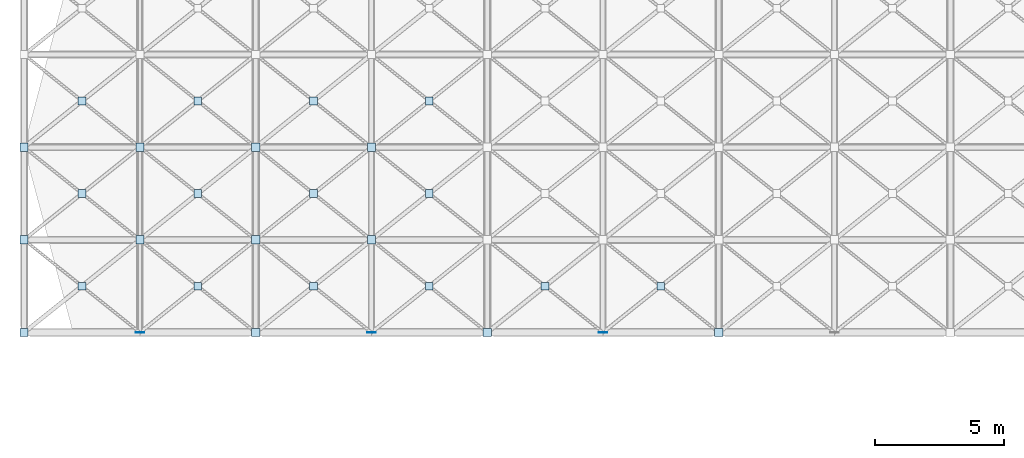
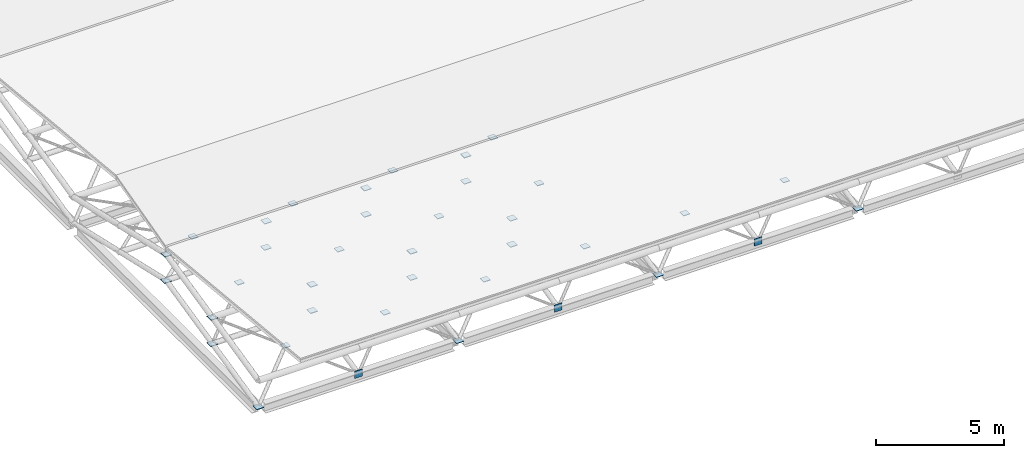
# One storey, part 73 of 110: 37 plates.
"""IFC4 building model written with IfcOpenShell, lengths in metres."""

from ifc_helpers import new_model, si_unit, direction, frame, origin, origin_2d, place, context, subcontext, project, spatial, rectangle, extrude, material, layer, layer_set, type_object, element, save


model = new_model("IFC4")

# Units and contexts
model_context = context("Model", 3, precision=1e-05, world=origin(), true_north=direction((0.0, 1.0)))
body_context = subcontext(model_context, "Body", "Model", "MODEL_VIEW")
ifc_project = project(units=[si_unit("LENGTHUNIT", "METRE"), si_unit("AREAUNIT", "SQUARE_METRE"), si_unit("VOLUMEUNIT", "CUBIC_METRE"), si_unit("PLANEANGLEUNIT", "RADIAN"), si_unit("MASSUNIT", "GRAM", prefix="KILO")], contexts=[model_context])

# Site, building, storey
site_placement = place(None, origin())
site = spatial("IfcSite", under=ifc_project, at=site_placement, CompositionType="ELEMENT")
building_placement = place(site_placement, origin())
building = spatial("IfcBuilding", under=site, at=building_placement, Name="Tamarisk Ironworks Central Station", CompositionType="ELEMENT")
storey_placement = place(building_placement, frame((0.0, 0.0, 17.39990234375)))
storey = spatial("IfcBuildingStorey", under=building, at=storey_placement, Name="L03", CompositionType="ELEMENT", Elevation=17.39990234375)

# Plates
ifc_material_1 = material(Name="Painted structural steel S355J2", Category="steel")
ifc_layer_1 = layer(ifc_material_1, 0.01611328125)
ifc_layer_set_1 = layer_set([ifc_layer_1], Name="Painted structural steel S355J2")
plate_type_1 = type_object("IfcPlateType", Name="PL-EC16", PredefinedType="SHEET", material=ifc_layer_set_1)
for number, where, z_axis, x_axis, name in (
    (1, (4.5, 21.60009765625, -1.89013671875), (0.0, 0.0, 1.0), (1.0, 0.0, 0.0), "Hollow section welded end-cap plate 28"),
    (2, (13.5, 21.60009765625, -1.89013671875), (0.0, 0.0, 1.0), (1.0, 0.0, 0.0), "Hollow section welded end-cap plate 29"),
    (3, (22.5, 21.60009765625, -1.89013671875), (0.0, 0.0, 1.0), (1.0, 0.0, 0.0), "Hollow section welded end-cap plate 30"),
):
    element("IfcPlate", number, at=place(storey_placement, frame(where, z_axis=z_axis, x_axis=x_axis)), inside=storey, type_object=plate_type_1, Name=name, PredefinedType="SHEET", context=body_context, shape_type="SweptSolid", body=[
        extrude(rectangle(XDim=0.340087890625, YDim=0.02392578125, at=origin_2d()), origin(), (0.0, 0.0, 1.0), 0.340087890625),
    ])
ifc_material_2 = material(Name="Structural steel S355J2H", Category="steel")
ifc_layer_2 = layer(ifc_material_2, 0.02587890625)
ifc_layer_set_2 = layer_set([ifc_layer_2], Name="Structural steel S355J2H")
plate_type_2 = type_object("IfcPlateType", Name="PL-ND26", PredefinedType="SHEET", material=ifc_layer_set_2)
plate_1_placement = place(storey_placement, frame((2.25, 23.39990234375, -0.6953125), z_axis=(0.0, 0.0, 1.0), x_axis=(1.0, 0.0, 0.0)))
element("IfcPlate", 4, at=plate_1_placement, inside=storey, type_object=plate_type_2, Name="Space-frame X-brace crossing gusset plate 0001", PredefinedType="SHEET", context=body_context, shape_type="SweptSolid", body=[
    extrude(rectangle(XDim=0.300048828125, YDim=0.300048828125, at=origin_2d()), origin(), (0.0, 0.0, 1.0), 0.02587890625),
])
for number, where, z_axis, x_axis, name in (
    (5, (0.0, 21.60009765625, -1.73291015625), (0.0, 0.0, 1.0), (1.0, 0.0, 0.0), "Space-frame collector node plate 0002"),
    (6, (0.0, 25.199951171875, 0.342041015625), (0.0, 0.0, 1.0), (1.0, 0.0, 0.0), "Space-frame collector node plate 0003"),
    (7, (4.5, 25.199951171875, 0.342041015625), (0.0, 0.0, 1.0), (1.0, 0.0, 0.0), "Space-frame collector node plate 0004"),
):
    element("IfcPlate", number, at=place(storey_placement, frame(where, z_axis=z_axis, x_axis=x_axis)), inside=storey, type_object=plate_type_2, Name=name, PredefinedType="SHEET", context=body_context, shape_type="SweptSolid", body=[
        extrude(rectangle(XDim=0.320068359375, YDim=0.320068359375, at=origin_2d()), origin(), (0.0, 0.0, 1.0), 0.02587890625),
    ])
plate_2_placement = place(storey_placement, frame((2.25, 27.0, 0.129638671875), z_axis=(0.0, 0.0, 1.0), x_axis=(1.0, 0.0, 0.0)))
element("IfcPlate", 8, at=plate_2_placement, inside=storey, type_object=plate_type_2, Name="Space-frame X-brace crossing gusset plate 0005", PredefinedType="SHEET", context=body_context, shape_type="SweptSolid", body=[
    extrude(rectangle(XDim=0.300048828125, YDim=0.300048828125, at=origin_2d()), origin(), (0.0, 0.0, 1.0), 0.02587890625),
])
for number, where, z_axis, x_axis, name in (
    (9, (0.0, 25.199951171875, -0.907958984375), (0.0, 0.0, 1.0), (1.0, 0.0, 0.0), "Space-frame collector node plate 0006"),
    (10, (4.5, 25.199951171875, -0.907958984375), (0.0, 0.0, 1.0), (1.0, 0.0, 0.0), "Space-frame collector node plate 0007"),
    (11, (0.0, 28.800048828125, 1.167236328125), (0.0, 0.0, 1.0), (1.0, 0.0, 0.0), "Space-frame collector node plate 0008"),
    (12, (4.5, 28.800048828125, 1.167236328125), (0.0, 0.0, 1.0), (1.0, 0.0, 0.0), "Space-frame collector node plate 0009"),
):
    element("IfcPlate", number, at=place(storey_placement, frame(where, z_axis=z_axis, x_axis=x_axis)), inside=storey, type_object=plate_type_2, Name=name, PredefinedType="SHEET", context=body_context, shape_type="SweptSolid", body=[
        extrude(rectangle(XDim=0.320068359375, YDim=0.320068359375, at=origin_2d()), origin(), (0.0, 0.0, 1.0), 0.02587890625),
    ])
plate_3_placement = place(storey_placement, frame((2.25, 30.60009765625, 0.129638671875), z_axis=(0.0, 0.0, 1.0), x_axis=(1.0, 0.0, 0.0)))
element("IfcPlate", 13, at=plate_3_placement, inside=storey, type_object=plate_type_2, Name="Space-frame X-brace crossing gusset plate 0010", PredefinedType="SHEET", context=body_context, shape_type="SweptSolid", body=[
    extrude(rectangle(XDim=0.300048828125, YDim=0.300048828125, at=origin_2d()), origin(), (0.0, 0.0, 1.0), 0.02587890625),
])
for number, where, z_axis, x_axis, name in (
    (14, (0.0, 28.800048828125, -0.082763671875), (0.0, 0.0, 1.0), (1.0, 0.0, 0.0), "Space-frame collector node plate 0011"),
    (15, (4.5, 28.800048828125, -0.082763671875), (0.0, 0.0, 1.0), (1.0, 0.0, 0.0), "Space-frame collector node plate 0012"),
):
    element("IfcPlate", number, at=place(storey_placement, frame(where, z_axis=z_axis, x_axis=x_axis)), inside=storey, type_object=plate_type_2, Name=name, PredefinedType="SHEET", context=body_context, shape_type="SweptSolid", body=[
        extrude(rectangle(XDim=0.320068359375, YDim=0.320068359375, at=origin_2d()), origin(), (0.0, 0.0, 1.0), 0.02587890625),
    ])
plate_4_placement = place(storey_placement, frame((6.75, 23.39990234375, -0.6953125), z_axis=(0.0, 0.0, 1.0), x_axis=(1.0, 0.0, 0.0)))
element("IfcPlate", 16, at=plate_4_placement, inside=storey, type_object=plate_type_2, Name="Space-frame X-brace crossing gusset plate 0020", PredefinedType="SHEET", context=body_context, shape_type="SweptSolid", body=[
    extrude(rectangle(XDim=0.300048828125, YDim=0.300048828125, at=origin_2d()), origin(), (0.0, 0.0, 1.0), 0.02587890625),
])
for number, where, z_axis, x_axis, name in (
    (17, (9.0, 21.60009765625, -1.73291015625), (0.0, 0.0, 1.0), (1.0, 0.0, 0.0), "Space-frame collector node plate 0021"),
    (18, (9.0, 25.199951171875, 0.342041015625), (0.0, 0.0, 1.0), (1.0, 0.0, 0.0), "Space-frame collector node plate 0022"),
):
    element("IfcPlate", number, at=place(storey_placement, frame(where, z_axis=z_axis, x_axis=x_axis)), inside=storey, type_object=plate_type_2, Name=name, PredefinedType="SHEET", context=body_context, shape_type="SweptSolid", body=[
        extrude(rectangle(XDim=0.320068359375, YDim=0.320068359375, at=origin_2d()), origin(), (0.0, 0.0, 1.0), 0.02587890625),
    ])
plate_5_placement = place(storey_placement, frame((6.75, 27.0, 0.129638671875), z_axis=(0.0, 0.0, 1.0), x_axis=(1.0, 0.0, 0.0)))
element("IfcPlate", 19, at=plate_5_placement, inside=storey, type_object=plate_type_2, Name="Space-frame X-brace crossing gusset plate 0023", PredefinedType="SHEET", context=body_context, shape_type="SweptSolid", body=[
    extrude(rectangle(XDim=0.300048828125, YDim=0.300048828125, at=origin_2d()), origin(), (0.0, 0.0, 1.0), 0.02587890625),
])
for number, where, z_axis, x_axis, name in (
    (20, (9.0, 25.199951171875, -0.907958984375), (0.0, 0.0, 1.0), (1.0, 0.0, 0.0), "Space-frame collector node plate 0024"),
    (21, (9.0, 28.800048828125, 1.167236328125), (0.0, 0.0, 1.0), (1.0, 0.0, 0.0), "Space-frame collector node plate 0025"),
):
    element("IfcPlate", number, at=place(storey_placement, frame(where, z_axis=z_axis, x_axis=x_axis)), inside=storey, type_object=plate_type_2, Name=name, PredefinedType="SHEET", context=body_context, shape_type="SweptSolid", body=[
        extrude(rectangle(XDim=0.320068359375, YDim=0.320068359375, at=origin_2d()), origin(), (0.0, 0.0, 1.0), 0.02587890625),
    ])
plate_6_placement = place(storey_placement, frame((6.75, 30.60009765625, 0.129638671875), z_axis=(0.0, 0.0, 1.0), x_axis=(1.0, 0.0, 0.0)))
element("IfcPlate", 22, at=plate_6_placement, inside=storey, type_object=plate_type_2, Name="Space-frame X-brace crossing gusset plate 0026", PredefinedType="SHEET", context=body_context, shape_type="SweptSolid", body=[
    extrude(rectangle(XDim=0.300048828125, YDim=0.300048828125, at=origin_2d()), origin(), (0.0, 0.0, 1.0), 0.02587890625),
])
plate_7_placement = place(storey_placement, frame((9.0, 28.800048828125, -0.082763671875), z_axis=(0.0, 0.0, 1.0), x_axis=(1.0, 0.0, 0.0)))
element("IfcPlate", 23, at=plate_7_placement, inside=storey, type_object=plate_type_2, Name="Space-frame collector node plate 0027", PredefinedType="SHEET", context=body_context, shape_type="SweptSolid", body=[
    extrude(rectangle(XDim=0.320068359375, YDim=0.320068359375, at=origin_2d()), origin(), (0.0, 0.0, 1.0), 0.02587890625),
])
plate_8_placement = place(storey_placement, frame((11.25, 23.39990234375, -0.6953125), z_axis=(0.0, 0.0, 1.0), x_axis=(1.0, 0.0, 0.0)))
element("IfcPlate", 24, at=plate_8_placement, inside=storey, type_object=plate_type_2, Name="Space-frame X-brace crossing gusset plate 0032", PredefinedType="SHEET", context=body_context, shape_type="SweptSolid", body=[
    extrude(rectangle(XDim=0.300048828125, YDim=0.300048828125, at=origin_2d()), origin(), (0.0, 0.0, 1.0), 0.02587890625),
])
plate_9_placement = place(storey_placement, frame((13.5, 25.199951171875, 0.342041015625), z_axis=(0.0, 0.0, 1.0), x_axis=(1.0, 0.0, 0.0)))
element("IfcPlate", 25, at=plate_9_placement, inside=storey, type_object=plate_type_2, Name="Space-frame collector node plate 0033", PredefinedType="SHEET", context=body_context, shape_type="SweptSolid", body=[
    extrude(rectangle(XDim=0.320068359375, YDim=0.320068359375, at=origin_2d()), origin(), (0.0, 0.0, 1.0), 0.02587890625),
])
plate_10_placement = place(storey_placement, frame((11.25, 27.0, 0.129638671875), z_axis=(0.0, 0.0, 1.0), x_axis=(1.0, 0.0, 0.0)))
element("IfcPlate", 26, at=plate_10_placement, inside=storey, type_object=plate_type_2, Name="Space-frame X-brace crossing gusset plate 0034", PredefinedType="SHEET", context=body_context, shape_type="SweptSolid", body=[
    extrude(rectangle(XDim=0.300048828125, YDim=0.300048828125, at=origin_2d()), origin(), (0.0, 0.0, 1.0), 0.02587890625),
])
for number, where, z_axis, x_axis, name in (
    (27, (13.5, 25.199951171875, -0.907958984375), (0.0, 0.0, 1.0), (1.0, 0.0, 0.0), "Space-frame collector node plate 0035"),
    (28, (13.5, 28.800048828125, 1.167236328125), (0.0, 0.0, 1.0), (1.0, 0.0, 0.0), "Space-frame collector node plate 0036"),
):
    element("IfcPlate", number, at=place(storey_placement, frame(where, z_axis=z_axis, x_axis=x_axis)), inside=storey, type_object=plate_type_2, Name=name, PredefinedType="SHEET", context=body_context, shape_type="SweptSolid", body=[
        extrude(rectangle(XDim=0.320068359375, YDim=0.320068359375, at=origin_2d()), origin(), (0.0, 0.0, 1.0), 0.02587890625),
    ])
plate_11_placement = place(storey_placement, frame((11.25, 30.60009765625, 0.129638671875), z_axis=(0.0, 0.0, 1.0), x_axis=(1.0, 0.0, 0.0)))
element("IfcPlate", 29, at=plate_11_placement, inside=storey, type_object=plate_type_2, Name="Space-frame X-brace crossing gusset plate 0037", PredefinedType="SHEET", context=body_context, shape_type="SweptSolid", body=[
    extrude(rectangle(XDim=0.300048828125, YDim=0.300048828125, at=origin_2d()), origin(), (0.0, 0.0, 1.0), 0.02587890625),
])
plate_12_placement = place(storey_placement, frame((13.5, 28.800048828125, -0.082763671875), z_axis=(0.0, 0.0, 1.0), x_axis=(1.0, 0.0, 0.0)))
element("IfcPlate", 30, at=plate_12_placement, inside=storey, type_object=plate_type_2, Name="Space-frame collector node plate 0038", PredefinedType="SHEET", context=body_context, shape_type="SweptSolid", body=[
    extrude(rectangle(XDim=0.320068359375, YDim=0.320068359375, at=origin_2d()), origin(), (0.0, 0.0, 1.0), 0.02587890625),
])
plate_13_placement = place(storey_placement, frame((15.75, 23.39990234375, -0.6953125), z_axis=(0.0, 0.0, 1.0), x_axis=(1.0, 0.0, 0.0)))
element("IfcPlate", 31, at=plate_13_placement, inside=storey, type_object=plate_type_2, Name="Space-frame X-brace crossing gusset plate 0043", PredefinedType="SHEET", context=body_context, shape_type="SweptSolid", body=[
    extrude(rectangle(XDim=0.300048828125, YDim=0.300048828125, at=origin_2d()), origin(), (0.0, 0.0, 1.0), 0.02587890625),
])
plate_14_placement = place(storey_placement, frame((18.0, 21.60009765625, -1.73291015625), z_axis=(0.0, 0.0, 1.0), x_axis=(1.0, 0.0, 0.0)))
element("IfcPlate", 32, at=plate_14_placement, inside=storey, type_object=plate_type_2, Name="Space-frame collector node plate 0044", PredefinedType="SHEET", context=body_context, shape_type="SweptSolid", body=[
    extrude(rectangle(XDim=0.320068359375, YDim=0.320068359375, at=origin_2d()), origin(), (0.0, 0.0, 1.0), 0.02587890625),
])
for number, where, z_axis, x_axis, name in (
    (33, (15.75, 27.0, 0.129638671875), (0.0, 0.0, 1.0), (1.0, 0.0, 0.0), "Space-frame X-brace crossing gusset plate 0046"),
    (34, (15.75, 30.60009765625, 0.129638671875), (0.0, 0.0, 1.0), (1.0, 0.0, 0.0), "Space-frame X-brace crossing gusset plate 0049"),
    (35, (20.25, 23.39990234375, -0.6953125), (0.0, 0.0, 1.0), (1.0, 0.0, 0.0), "Space-frame X-brace crossing gusset plate 0055"),
    (36, (24.75, 23.39990234375, -0.6953125), (0.0, 0.0, 1.0), (1.0, 0.0, 0.0), "Space-frame X-brace crossing gusset plate 0066"),
):
    element("IfcPlate", number, at=place(storey_placement, frame(where, z_axis=z_axis, x_axis=x_axis)), inside=storey, type_object=plate_type_2, Name=name, PredefinedType="SHEET", context=body_context, shape_type="SweptSolid", body=[
        extrude(rectangle(XDim=0.300048828125, YDim=0.300048828125, at=origin_2d()), origin(), (0.0, 0.0, 1.0), 0.02587890625),
    ])
plate_15_placement = place(storey_placement, frame((27.0, 21.60009765625, -1.73291015625), z_axis=(0.0, 0.0, 1.0), x_axis=(1.0, 0.0, 0.0)))
element("IfcPlate", 37, at=plate_15_placement, inside=storey, type_object=plate_type_2, Name="Space-frame collector node plate 0067", PredefinedType="SHEET", context=body_context, shape_type="SweptSolid", body=[
    extrude(rectangle(XDim=0.320068359375, YDim=0.320068359375, at=origin_2d()), origin(), (0.0, 0.0, 1.0), 0.02587890625),
])

save(model, "model.ifc")
